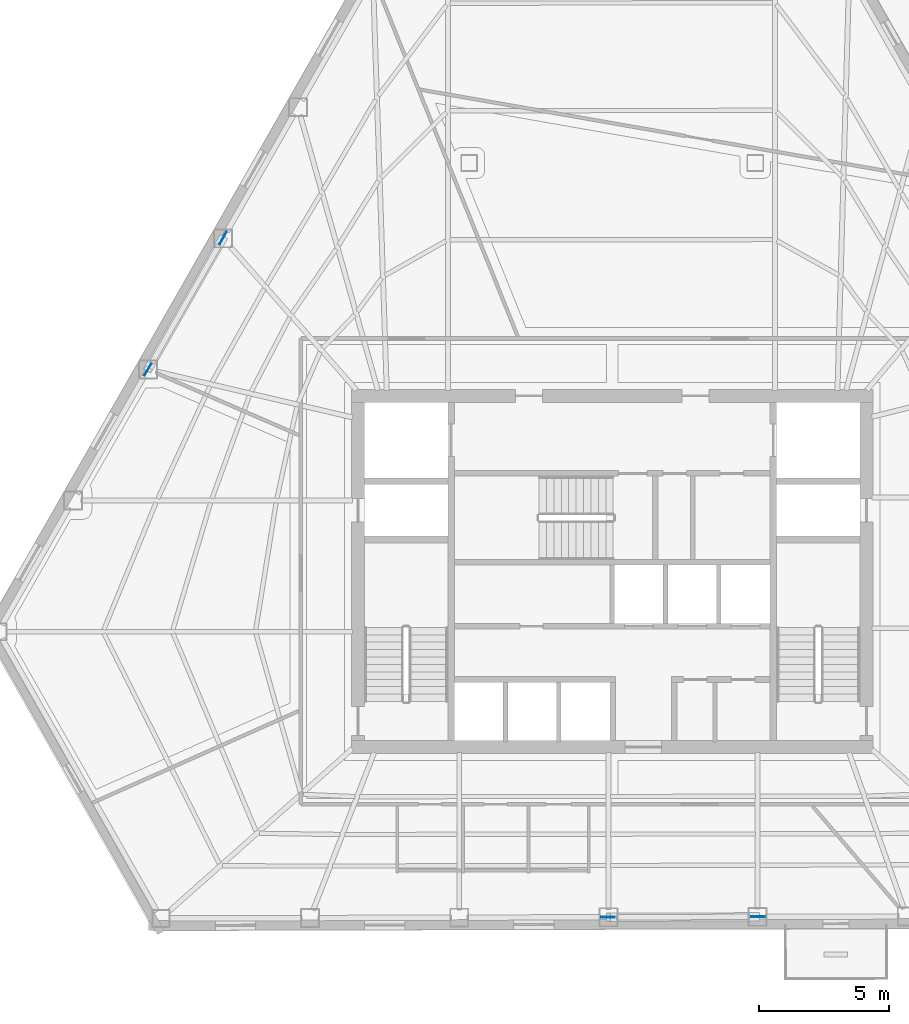
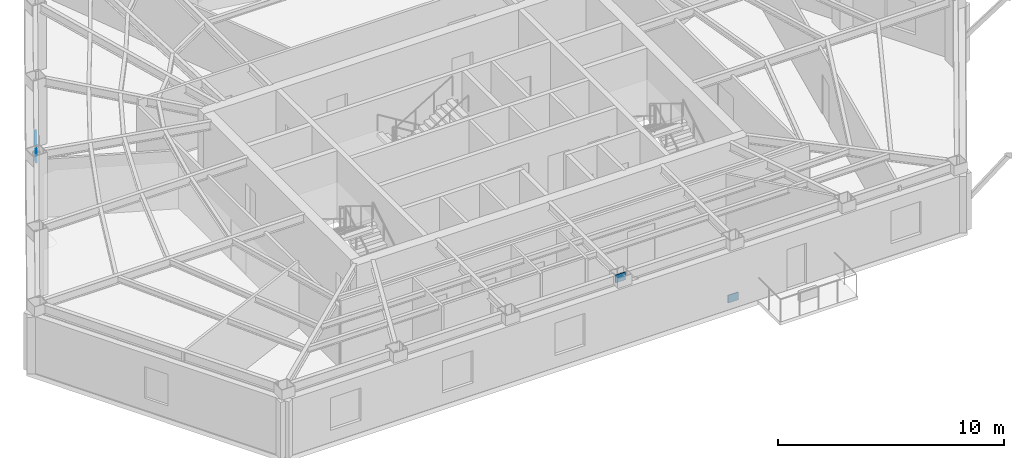
# One storey, part 4 of 11: 4 plates.
"""IFC4 building model written with IfcOpenShell, lengths in metres."""

from ifc_helpers import new_model, si_unit, direction, frame, origin, origin_2d, place, context, subcontext, project, spatial, rectangle, extrude, material, layer, layer_set, type_object, element, save


model = new_model("IFC4")

# Units and contexts
model_context = context("Model", 3, precision=1e-05, world=origin(), true_north=direction((0.0, 1.0)))
body_context = subcontext(model_context, "Body", "Model", "MODEL_VIEW")
ifc_project = project(units=[si_unit("LENGTHUNIT", "METRE"), si_unit("AREAUNIT", "SQUARE_METRE"), si_unit("VOLUMEUNIT", "CUBIC_METRE"), si_unit("PLANEANGLEUNIT", "RADIAN"), si_unit("MASSUNIT", "GRAM", prefix="KILO")], contexts=[model_context])

# Site, building, storey
site_placement = place(None, origin())
site = spatial("IfcSite", under=ifc_project, at=site_placement, CompositionType="ELEMENT")
building_placement = place(site_placement, origin())
building = spatial("IfcBuilding", under=site, at=building_placement, Name="Kavelnor Concourse Tower", CompositionType="ELEMENT")
storey_placement = place(building_placement, frame((0.0, 0.0, 89.35009765625)))
storey = spatial("IfcBuildingStorey", under=building, at=storey_placement, Name="L22", CompositionType="ELEMENT", Elevation=89.35009765625)

# Plates
ifc_material = material(Name="Steel Grade 350", Category="steel")
ifc_layer = layer(ifc_material, 0.031982421875, Name="Steel Grade 350")
ifc_layer_set = layer_set([ifc_layer], Name="Steel Grade 350")
plate_type = type_object("IfcPlateType", Name="PL-GUSSET-TUBE-Z1", PredefinedType="USERDEFINED", material=ifc_layer_set)
for number, where, z_axis, x_axis, name in (
    (1, (23.045166015625, 28.913818359375, 0.010009765625), (0.0, 0.0, 1.0), (-0.496216503675, -0.868198814489, 0.0), "L22 Tube Brace Gusset GP3 F0-B3 End Gusset A"),
    (2, (20.15185546875, 23.852783203125, 3.12353515625), (0.0, 0.0, 1.0), (-0.496216503675, -0.868198814489, 0.0), "L22 Tube Brace Gusset GP3 F0-B3 End Gusset B"),
    (3, (43.6005859375, 2.82373046875, 0.010009765625), (0.0, 0.0, 1.0), (-0.9999961009, -0.002792523174, 0.0), "L22 Tube Brace Gusset GP3 F1-B3 End Gusset A"),
    (4, (37.843505859375, 2.80810546875, 3.12353515625), (0.0, 0.0, 1.0), (-0.9999961009, -0.002792523174, 0.0), "L22 Tube Brace Gusset GP3 F1-B3 End Gusset B"),
):
    element("IfcPlate", number, at=place(storey_placement, frame(where, z_axis=z_axis, x_axis=x_axis)), inside=storey, type_object=plate_type, Name=name, ObjectType="GUSSET_PLATE", PredefinedType="USERDEFINED", context=body_context, shape_type="SweptSolid", body=[
        extrude(rectangle(XDim=0.52001953125, YDim=0.031982421875, at=origin_2d()), origin(), (0.0, 0.0, 1.0), 0.419921875),
    ])

save(model, "model.ifc")
